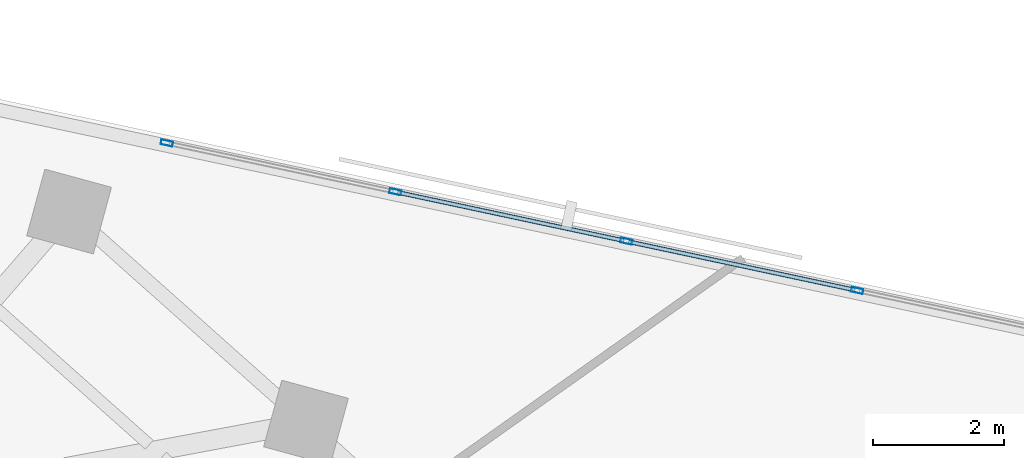
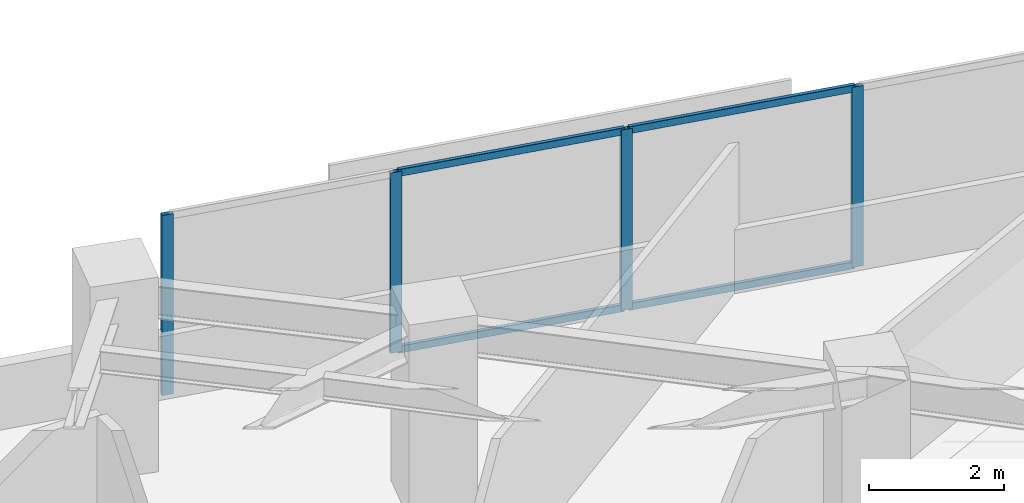
# One storey, part 4 of 14: 8 members, 1 element without a shape of its own.
"""IFC4 building model written with IfcOpenShell, lengths in metres."""

from ifc_helpers import new_model, si_unit, direction, frame, origin, origin_2d, place, context, subcontext, project, spatial, hollow_rectangle, extrude, material, material_profile, profile_set, type_object, element, aggregate, save


model = new_model("IFC4")

# Units and contexts
model_context = context("Model", 3, precision=1e-05, world=origin(), true_north=direction((0.0, 1.0)))
body_context = subcontext(model_context, "Body", "Model", "MODEL_VIEW")
ifc_project = project(units=[si_unit("LENGTHUNIT", "METRE"), si_unit("AREAUNIT", "SQUARE_METRE"), si_unit("VOLUMEUNIT", "CUBIC_METRE"), si_unit("PLANEANGLEUNIT", "RADIAN"), si_unit("MASSUNIT", "GRAM", prefix="KILO")], contexts=[model_context])

# Site, building, storey
site_placement = place(None, origin())
site = spatial("IfcSite", under=ifc_project, at=site_placement, CompositionType="ELEMENT")
building_placement = place(site_placement, origin())
building = spatial("IfcBuilding", under=site, at=building_placement, Name="Narakoshi Arena Tower", CompositionType="ELEMENT")
storey_placement = place(building_placement, frame((0.0, 0.0, 207.93994140625)))
storey = spatial("IfcBuildingStorey", under=building, at=storey_placement, Name="L56", CompositionType="ELEMENT", Elevation=207.93994140625)

# Curtain wall, members
ifc_material = material(Name="Anodised bronze aluminium 6063-T6", Category="aluminium")
curtain_wall_type = type_object("IfcCurtainWallType", Name="CW-HYP-MID", PredefinedType="NOTDEFINED", material=ifc_material)
curtain_wall_placement = place(storey_placement, origin())
curtain_wall = element("IfcCurtainWall", 1, at=curtain_wall_placement, inside=storey, type_object=curtain_wall_type, Name="L56 Folded Hypotenuse Curtain Wall 1-1", PredefinedType="NOTDEFINED")
ifc_material_profile_1 = material_profile(ifc_material, hollow_rectangle(XDim=0.074951171875, YDim=0.179931640625, WallThickness=0.00390625, OuterFilletRadius=0.0048828125, at=origin_2d()), Name="MUL180x75x4")
ifc_profile_set_1 = profile_set([ifc_material_profile_1], Name="Anodised bronze aluminium 6063-T6")
member_type_1 = type_object("IfcMemberType", Name="MEM-MUL-180", PredefinedType="MULLION", material=ifc_profile_set_1)
member_1_placement = place(storey_placement, frame((101.553955078125, 59.932861328125, 0.0), z_axis=(0.0, 0.0, 1.0), x_axis=(-0.208899163248, -0.977937185914, 0.0)))
member_1 = element("IfcMember", 2, at=member_1_placement, type_object=member_type_1, Name="CW-02 mullion 5", PredefinedType="MULLION", context=body_context, shape_type="SweptSolid", body=[
    extrude(hollow_rectangle(XDim=0.074951171875, YDim=0.179931640625, WallThickness=0.00390625, OuterFilletRadius=0.0048828125, at=origin_2d()), origin(), (0.0, 0.0, 1.0), 3.260009765625),
])
member_2_placement = place(storey_placement, frame((98.0400390625, 60.68359375, 0.0), z_axis=(0.0, 0.0, 1.0), x_axis=(-0.208899163248, -0.977937185914, 0.0)))
member_2 = element("IfcMember", 3, at=member_2_placement, type_object=member_type_1, Name="CW-02 mullion 6", PredefinedType="MULLION", context=body_context, shape_type="SweptSolid", body=[
    extrude(hollow_rectangle(XDim=0.074951171875, YDim=0.179931640625, WallThickness=0.00390625, OuterFilletRadius=0.0048828125, at=origin_2d()), origin(), (0.0, 0.0, 1.0), 3.260009765625),
])
member_3_placement = place(storey_placement, frame((94.52587890625, 61.434326171875, 0.0), z_axis=(0.0, 0.0, 1.0), x_axis=(-0.208899163248, -0.977937185914, 0.0)))
member_3 = element("IfcMember", 4, at=member_3_placement, type_object=member_type_1, Name="CW-02 mullion 7", PredefinedType="MULLION", context=body_context, shape_type="SweptSolid", body=[
    extrude(hollow_rectangle(XDim=0.074951171875, YDim=0.179931640625, WallThickness=0.00390625, OuterFilletRadius=0.0048828125, at=origin_2d()), origin(), (0.0, 0.0, 1.0), 3.260009765625),
])
member_4_placement = place(storey_placement, frame((91.04833984375, 62.177001953125, 0.0), z_axis=(0.0, 0.0, 1.0), x_axis=(-0.208899163248, -0.977937185914, 0.0)))
member_4 = element("IfcMember", 5, at=member_4_placement, type_object=member_type_1, Name="CW-02 mullion 8", PredefinedType="MULLION", context=body_context, shape_type="SweptSolid", body=[
    extrude(hollow_rectangle(XDim=0.074951171875, YDim=0.179931640625, WallThickness=0.00390625, OuterFilletRadius=0.0048828125, at=origin_2d()), origin(), (0.0, 0.0, 1.0), 3.260009765625),
])
ifc_material_profile_2 = material_profile(ifc_material, hollow_rectangle(XDim=0.06494140625, YDim=0.1298828125, WallThickness=0.00390625, OuterFilletRadius=0.0048828125, at=origin_2d()), Name="TRN130x65x4")
ifc_profile_set_2 = profile_set([ifc_material_profile_2], Name="Anodised bronze aluminium 6063-T6")
member_type_2 = type_object("IfcMemberType", Name="MEM-TRN-130", PredefinedType="USERDEFINED", material=ifc_profile_set_2)
member_5_placement = place(storey_placement, frame((101.517333984375, 59.940673828125, 0.032470703125), z_axis=(-0.977929169638, 0.208936686992, 0.0), x_axis=(-0.208936686992, -0.977929169638, 0.0)))
member_5 = element("IfcMember", 6, at=member_5_placement, type_object=member_type_2, Name="CW-02 transom 5.1", ObjectType="TRANSOM", PredefinedType="USERDEFINED", context=body_context, shape_type="SweptSolid", body=[
    extrude(hollow_rectangle(XDim=0.06494140625, YDim=0.1298828125, WallThickness=0.00390625, OuterFilletRadius=0.0048828125, at=origin_2d()), origin(), (0.0, 0.0, 1.0), 3.518310546875),
])
member_6_placement = place(storey_placement, frame((101.517333984375, 59.940673828125, 3.2275390625), z_axis=(-0.977929169638, 0.208936686992, 0.0), x_axis=(-0.208936686992, -0.977929169638, 0.0)))
member_6 = element("IfcMember", 7, at=member_6_placement, type_object=member_type_2, Name="CW-02 transom 5.2", ObjectType="TRANSOM", PredefinedType="USERDEFINED", context=body_context, shape_type="SweptSolid", body=[
    extrude(hollow_rectangle(XDim=0.06494140625, YDim=0.1298828125, WallThickness=0.00390625, OuterFilletRadius=0.0048828125, at=origin_2d()), origin(), (0.0, 0.0, 1.0), 3.518310546875),
])
member_7_placement = place(storey_placement, frame((98.003173828125, 60.69140625, 0.032470703125), z_axis=(-0.977929169638, 0.208936686992, 0.0), x_axis=(-0.208936686992, -0.977929169638, 0.0)))
member_7 = element("IfcMember", 8, at=member_7_placement, type_object=member_type_2, Name="CW-02 transom 6.1", ObjectType="TRANSOM", PredefinedType="USERDEFINED", context=body_context, shape_type="SweptSolid", body=[
    extrude(hollow_rectangle(XDim=0.06494140625, YDim=0.1298828125, WallThickness=0.00390625, OuterFilletRadius=0.0048828125, at=origin_2d()), origin(), (0.0, 0.0, 1.0), 3.518310546875),
])
member_8_placement = place(storey_placement, frame((98.003173828125, 60.69140625, 3.2275390625), z_axis=(-0.977929169638, 0.208936686992, 0.0), x_axis=(-0.208936686992, -0.977929169638, 0.0)))
member_8 = element("IfcMember", 9, at=member_8_placement, type_object=member_type_2, Name="CW-02 transom 6.2", ObjectType="TRANSOM", PredefinedType="USERDEFINED", context=body_context, shape_type="SweptSolid", body=[
    extrude(hollow_rectangle(XDim=0.06494140625, YDim=0.1298828125, WallThickness=0.00390625, OuterFilletRadius=0.0048828125, at=origin_2d()), origin(), (0.0, 0.0, 1.0), 3.518310546875),
])
aggregate(curtain_wall, [member_1, member_2, member_3, member_4, member_5, member_6, member_7, member_8])

save(model, "model.ifc")
